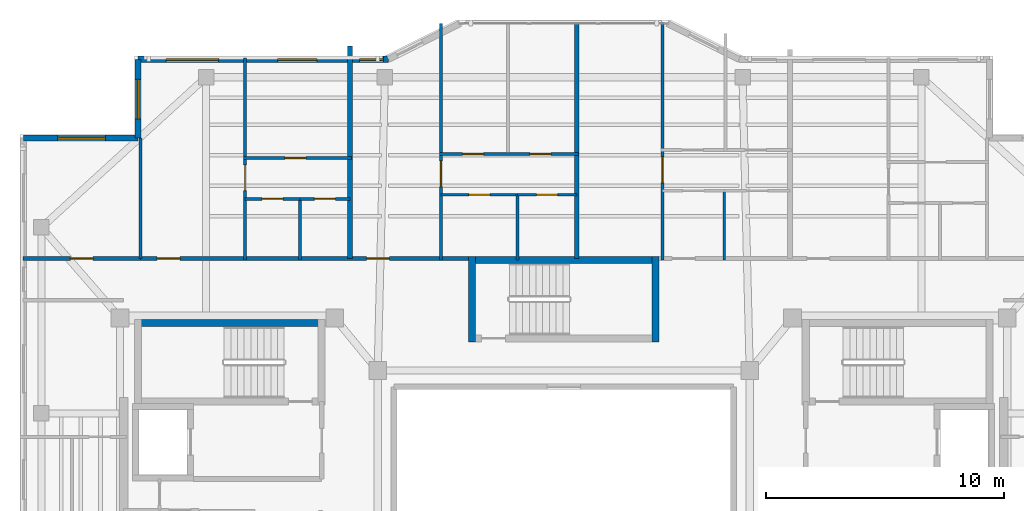
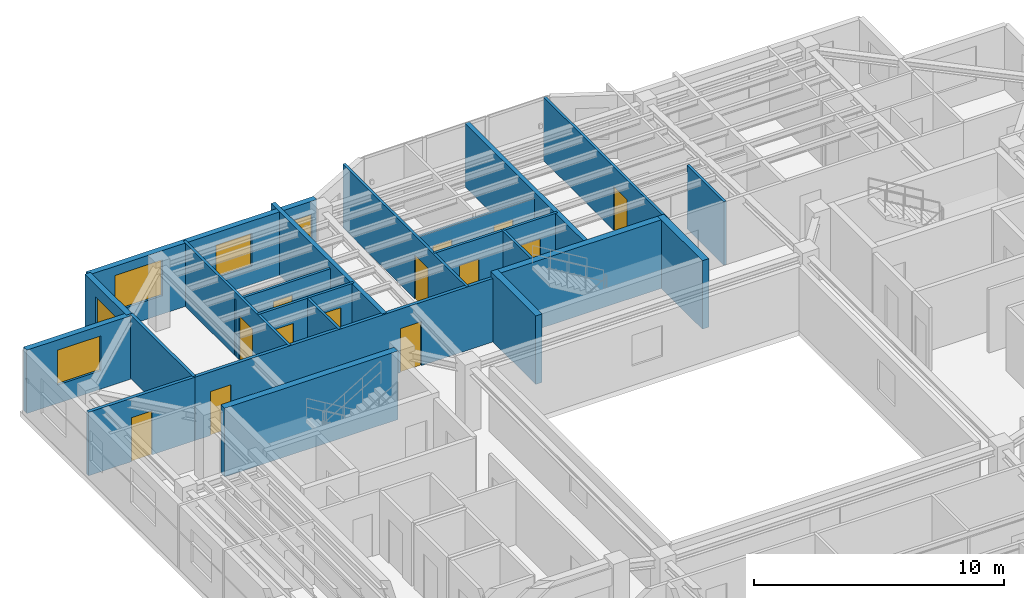
# One storey, part 10 of 15: 24 walls, 13 doors, 5 windows, 18 openings.
"""IFC4 building model written with IfcOpenShell, lengths in metres."""

from ifc_helpers import new_model, si_unit, direction, frame, frame_2d, origin, place, context, subcontext, project, spatial, rectangle, extrude, material, layer, layer_set, type_object, element, fill, save


model = new_model("IFC4")

# Units and contexts
model_context = context("Model", 3, precision=1e-05, world=origin(), true_north=direction((0.0, 1.0)))
body_context = subcontext(model_context, "Body", "Model", "MODEL_VIEW")
ifc_project = project(units=[si_unit("LENGTHUNIT", "METRE"), si_unit("AREAUNIT", "SQUARE_METRE"), si_unit("VOLUMEUNIT", "CUBIC_METRE"), si_unit("PLANEANGLEUNIT", "RADIAN"), si_unit("MASSUNIT", "GRAM", prefix="KILO")], contexts=[model_context])

# Site, building, storey
site_placement = place(None, origin())
site = spatial("IfcSite", under=ifc_project, at=site_placement, CompositionType="ELEMENT")
building_placement = place(site_placement, origin())
building = spatial("IfcBuilding", under=site, at=building_placement, Name="Tarnavaz Court Tower", CompositionType="ELEMENT")
storey_placement = place(building_placement, frame((0.0, 0.0, 244.85009765625)))
storey = spatial("IfcBuildingStorey", under=building, at=storey_placement, Name="L66", CompositionType="ELEMENT", Elevation=244.85009765625)

# Walls
ifc_material_1 = material(Name="Concrete C50/60", Category="concrete")
ifc_layer_1 = layer(ifc_material_1, 0.300048828125)
ifc_layer_set_1 = layer_set([ifc_layer_1], Name="Concrete C50/60")
wall_type_1 = type_object("IfcWallType", Name="WL-CORE-300-C50", PredefinedType="SHEAR", material=ifc_layer_set_1)
for number, where, z_axis, x_axis, name in (
    (1, (-18.0, 9.7900390625, 0.0), (0.0, 0.0, 1.0), (1.0, 0.0, 0.0), "L66 West Stair Core Wall 001"),
    (2, (-4.0, 12.43994140625, 0.0), (0.0, 0.0, 1.0), (1.0, 0.0, 0.0), "L66 North Stair Core Wall 009"),
):
    element("IfcWall", number, at=place(storey_placement, frame(where, z_axis=z_axis, x_axis=x_axis)), inside=storey, type_object=wall_type_1, Name=name, PredefinedType="SHEAR", context=body_context, shape_type="SweptSolid", body=[
        extrude(rectangle(XDim=8.0, YDim=0.300048828125, at=frame_2d((4.0, 0.0))), origin(), (0.0, 0.0, 1.0), 3.349853515625),
    ])
for number, where, z_axis, x_axis, name in (
    (3, (-3.85009765625, 9.0, 0.0), (0.0, 0.0, 1.0), (0.0, 1.0, 0.0), "L66 North Stair Core Wall 011"),
    (4, (3.85009765625, 9.0, 0.0), (0.0, 0.0, 1.0), (0.0, 1.0, 0.0), "L66 North Stair Core Wall 012"),
):
    element("IfcWall", number, at=place(storey_placement, frame(where, z_axis=z_axis, x_axis=x_axis)), inside=storey, type_object=wall_type_1, Name=name, PredefinedType="SHEAR", context=body_context, shape_type="SweptSolid", body=[
        extrude(rectangle(XDim=3.590087890625, YDim=0.300048828125, at=frame_2d((1.794921875, 0.0))), origin(), (0.0, 0.0, 1.0), 3.349853515625),
    ])

# Wall, opening, window
ifc_material_2 = material(Name="Precast Concrete C40/50", Category="concrete")
ifc_layer_2 = layer(ifc_material_2, 0.260009765625)
ifc_layer_set_2 = layer_set([ifc_layer_2], Name="Precast Concrete C40/50")
wall_type_2 = type_object("IfcWallType", Name="WL-EXT-260", PredefinedType="SOLIDWALL", material=ifc_layer_set_2)
wall_1_placement = place(storey_placement, frame((-22.64990234375, 17.550048828125, 0.0), z_axis=(0.0, 0.0, 1.0), x_axis=(1.0, 0.0, 0.0)))
wall_1 = element("IfcWall", 5, at=wall_1_placement, inside=storey, type_object=wall_type_2, Name="L66 Exterior Terracotta Facade Wall 03", PredefinedType="SOLIDWALL", context=body_context, shape_type="SweptSolid", body=[
    extrude(rectangle(XDim=4.7998046875, YDim=0.260009765625, at=frame_2d((2.39990234375, 0.0))), origin(), (0.0, 0.0, 1.0), 3.099853515625),
])
opening_1_placement = place(wall_1_placement, frame((1.42529296875, 0.0, 0.89990234375)))
opening_1 = element("IfcOpeningElement", 6, at=opening_1_placement, cuts=wall_1, Name="Opening W08", PredefinedType="OPENING", context=body_context, shape_type="SweptSolid", body=[
    extrude(rectangle(XDim=2.0, YDim=1.699951171875, at=frame_2d((1.0, 0.85009765625))), frame((0.0, 0.139892578125, 0.0), z_axis=(0.0, -1.0, 0.0), x_axis=(1.0, 0.0, 0.0)), (0.0, 0.0, 1.0), 0.280029296875),
])
ifc_material_3 = material(Name="Double-Glazed Solar Low-E Glass", Category="glass")
window_type_1 = type_object("IfcWindowType", Name="WN-APT-2000", PartitioningType="DOUBLE_PANEL_VERTICAL", PredefinedType="WINDOW", material=ifc_material_3)
window_1_placement = place(opening_1_placement, origin())
window_1 = element("IfcWindow", 7, at=window_1_placement, inside=storey, type_object=window_type_1, Name="L66 North-West Corner Sunroom Study Window", OverallHeight=1.699951171875, OverallWidth=2.0, PartitioningType="SINGLE_PANEL", PredefinedType="WINDOW", context=body_context, shape_type="SweptSolid", body=[
    extrude(rectangle(XDim=2.0, YDim=1.699951171875, at=frame_2d((1.0, 0.85009765625))), frame((0.0, 0.030029296875, 0.0), z_axis=(0.0, -1.0, 0.0), x_axis=(1.0, 0.0, 0.0)), (0.0, 0.0, 1.0), 0.06005859375),
])
fill(opening_1, window_1)

wall_2_placement = place(storey_placement, frame((-17.85009765625, 17.550048828125, 0.0), z_axis=(0.0, 0.0, 1.0), x_axis=(0.0, 1.0, 0.0)))
wall_2 = element("IfcWall", 8, at=wall_2_placement, inside=storey, type_object=wall_type_2, Name="L66 Exterior Terracotta Facade Wall 04", PredefinedType="SOLIDWALL", context=body_context, shape_type="SweptSolid", body=[
    extrude(rectangle(XDim=3.300048828125, YDim=0.260009765625, at=frame_2d((1.64990234375, 0.0))), origin(), (0.0, 0.0, 1.0), 3.099853515625),
])
opening_2_placement = place(wall_2_placement, frame((0.8076171875, 0.0, 0.89990234375)))
opening_2 = element("IfcOpeningElement", 9, at=opening_2_placement, cuts=wall_2, Name="Opening W02", PredefinedType="OPENING", context=body_context, shape_type="SweptSolid", body=[
    extrude(rectangle(XDim=1.64990234375, YDim=1.60009765625, at=frame_2d((0.824951171875, 0.800048828125))), frame((0.0, 0.139892578125, 0.0), z_axis=(0.0, -1.0, 0.0), x_axis=(1.0, 0.0, 0.0)), (0.0, 0.0, 1.0), 0.280029296875),
])
window_type_2 = type_object("IfcWindowType", Name="WN-APT-1650", PartitioningType="DOUBLE_PANEL_VERTICAL", PredefinedType="WINDOW", material=ifc_material_3)
window_2_placement = place(opening_2_placement, origin())
window_2 = element("IfcWindow", 10, at=window_2_placement, inside=storey, type_object=window_type_2, Name="L66 Flat 01 Living and Dining Room Window", OverallHeight=1.60009765625, OverallWidth=1.64990234375, PartitioningType="SINGLE_PANEL", PredefinedType="WINDOW", context=body_context, shape_type="SweptSolid", body=[
    extrude(rectangle(XDim=1.64990234375, YDim=1.60009765625, at=frame_2d((0.824951171875, 0.800048828125))), frame((0.0, 0.030029296875, 0.0), z_axis=(0.0, -1.0, 0.0), x_axis=(1.0, 0.0, 0.0)), (0.0, 0.0, 1.0), 0.06005859375),
])
fill(opening_2, window_2)

# Wall, openings, windows
wall_3_placement = place(storey_placement, frame((-17.85009765625, 20.85009765625, 0.0), z_axis=(0.0, 0.0, 1.0), x_axis=(1.0, 0.0, 0.0)))
wall_3 = element("IfcWall", 11, at=wall_3_placement, inside=storey, type_object=wall_type_2, Name="L66 Exterior Terracotta Facade Wall 05", PredefinedType="SOLIDWALL", context=body_context, shape_type="SweptSolid", body=[
    extrude(rectangle(XDim=10.5, YDim=0.260009765625, at=frame_2d((5.25, 0.0))), origin(), (0.0, 0.0, 1.0), 3.099853515625),
])
opening_3_placement = place(wall_3_placement, frame((1.175048828125, 0.0, 0.89990234375)))
opening_3 = element("IfcOpeningElement", 12, at=opening_3_placement, cuts=wall_3, Name="Opening W07", PredefinedType="OPENING", context=body_context, shape_type="SweptSolid", body=[
    extrude(rectangle(XDim=2.199951171875, YDim=1.75, at=frame_2d((1.10009765625, 0.875))), frame((0.0, 0.139892578125, 0.0), z_axis=(0.0, -1.0, 0.0), x_axis=(1.0, 0.0, 0.0)), (0.0, 0.0, 1.0), 0.280029296875),
])
opening_4_placement = place(wall_3_placement, frame((5.85009765625, 0.0, 0.89990234375)))
opening_4 = element("IfcOpeningElement", 13, at=opening_4_placement, cuts=wall_3, Name="Opening W02", PredefinedType="OPENING", context=body_context, shape_type="SweptSolid", body=[
    extrude(rectangle(XDim=1.64990234375, YDim=1.60009765625, at=frame_2d((0.824951171875, 0.800048828125))), frame((0.0, 0.139892578125, 0.0), z_axis=(0.0, -1.0, 0.0), x_axis=(1.0, 0.0, 0.0)), (0.0, 0.0, 1.0), 0.280029296875),
])
opening_5_placement = place(wall_3_placement, frame((9.2919921875, 0.0, 0.949951171875)))
opening_5 = element("IfcOpeningElement", 14, at=opening_5_placement, cuts=wall_3, Name="Opening W14", PredefinedType="OPENING", context=body_context, shape_type="SweptSolid", body=[
    extrude(rectangle(XDim=1.0, YDim=1.5, at=frame_2d((0.5, 0.75))), frame((0.0, 0.139892578125, 0.0), z_axis=(0.0, -1.0, 0.0), x_axis=(1.0, 0.0, 0.0)), (0.0, 0.0, 1.0), 0.280029296875),
])
window_type_3 = type_object("IfcWindowType", Name="WN-APT-1000", PartitioningType="SINGLE_PANEL", PredefinedType="WINDOW", material=ifc_material_3)
window_3_placement = place(opening_5_placement, origin())
window_3 = element("IfcWindow", 15, at=window_3_placement, inside=storey, type_object=window_type_3, Name="L66 Flat 02 Living and Dining Room Window", OverallHeight=1.5, OverallWidth=1.0, PartitioningType="SINGLE_PANEL", PredefinedType="WINDOW", context=body_context, shape_type="SweptSolid", body=[
    extrude(rectangle(XDim=1.0, YDim=1.5, at=frame_2d((0.5, 0.75))), frame((0.0, 0.030029296875, 0.0), z_axis=(0.0, -1.0, 0.0), x_axis=(1.0, 0.0, 0.0)), (0.0, 0.0, 1.0), 0.06005859375),
])
fill(opening_5, window_3)
window_4_placement = place(opening_4_placement, origin())
window_4 = element("IfcWindow", 16, at=window_4_placement, inside=storey, type_object=window_type_2, Name="L66 Flat 01 Bedroom 1 Window", OverallHeight=1.60009765625, OverallWidth=1.64990234375, PartitioningType="SINGLE_PANEL", PredefinedType="WINDOW", context=body_context, shape_type="SweptSolid", body=[
    extrude(rectangle(XDim=1.64990234375, YDim=1.60009765625, at=frame_2d((0.824951171875, 0.800048828125))), frame((0.0, 0.030029296875, 0.0), z_axis=(0.0, -1.0, 0.0), x_axis=(1.0, 0.0, 0.0)), (0.0, 0.0, 1.0), 0.06005859375),
])
fill(opening_4, window_4)
window_type_4 = type_object("IfcWindowType", Name="WN-APT-2200", PartitioningType="TRIPLE_PANEL_VERTICAL", PredefinedType="WINDOW", material=ifc_material_3)
window_5_placement = place(opening_3_placement, origin())
window_5 = element("IfcWindow", 17, at=window_5_placement, inside=storey, type_object=window_type_4, Name="L66 Flat 01 Living and Dining Room Window", OverallHeight=1.75, OverallWidth=2.199951171875, PartitioningType="SINGLE_PANEL", PredefinedType="WINDOW", context=body_context, shape_type="SweptSolid", body=[
    extrude(rectangle(XDim=2.199951171875, YDim=1.75, at=frame_2d((1.10009765625, 0.875))), frame((0.0, 0.030029296875, 0.0), z_axis=(0.0, -1.0, 0.0), x_axis=(1.0, 0.0, 0.0)), (0.0, 0.0, 1.0), 0.06005859375),
])
fill(opening_3, window_5)

# Wall, openings, doors
ifc_material_4 = material(Name="Gypsum Fire-Board on Acoustic Metal Stud", Category="masonry")
ifc_layer_3 = layer(ifc_material_4, 0.14990234375)
ifc_layer_set_3 = layer_set([ifc_layer_3], Name="Gypsum Fire-Board on Acoustic Metal Stud")
wall_type_3 = type_object("IfcWallType", Name="WL-FIRE-150", PredefinedType="PARTITIONING", material=ifc_layer_set_3)
wall_4_placement = place(storey_placement, frame((-17.75, 12.5, 0.0), z_axis=(0.0, 0.0, 1.0), x_axis=(1.0, 0.0, 0.0)))
wall_4 = element("IfcWall", 18, at=wall_4_placement, inside=storey, type_object=wall_type_3, Name="L66 NW Wing Corridor Wall 057", PredefinedType="PARTITIONING", context=body_context, shape_type="SweptSolid", body=[
    extrude(rectangle(XDim=13.89990234375, YDim=0.14990234375, at=frame_2d((6.949951171875, 0.0))), origin(), (0.0, 0.0, 1.0), 3.099853515625),
])
opening_6_placement = place(wall_4_placement, frame((0.699951171875, 0.0, 0.0)))
opening_6 = element("IfcOpeningElement", 19, at=opening_6_placement, cuts=wall_4, Name="Opening D06", PredefinedType="OPENING", context=body_context, shape_type="SweptSolid", body=[
    extrude(rectangle(XDim=0.9599609375, YDim=2.14990234375, at=frame_2d((0.47998046875, 1.074951171875))), frame((0.0, 0.0849609375, 0.0), z_axis=(0.0, -1.0, 0.0), x_axis=(1.0, 0.0, 0.0)), (0.0, 0.0, 1.0), 0.169921875),
])
opening_7_placement = place(wall_4_placement, frame((9.48388671875, 0.0, 0.0)))
opening_7 = element("IfcOpeningElement", 20, at=opening_7_placement, cuts=wall_4, Name="Opening D06", PredefinedType="OPENING", context=body_context, shape_type="SweptSolid", body=[
    extrude(rectangle(XDim=0.9599609375, YDim=2.14990234375, at=frame_2d((0.47998046875, 1.074951171875))), frame((0.0, 0.0849609375, 0.0), z_axis=(0.0, -1.0, 0.0), x_axis=(1.0, 0.0, 0.0)), (0.0, 0.0, 1.0), 0.169921875),
])
ifc_material_5 = material(Name="Fire-Rated Hardwood Timber Core", Category="wood")
door_type_1 = type_object("IfcDoorType", Name="DR-FD60-950", OperationType="NOTDEFINED", PredefinedType="DOOR", material=ifc_material_5)
door_1_placement = place(opening_6_placement, origin())
door_1 = element("IfcDoor", 21, at=door_1_placement, inside=storey, type_object=door_type_1, Name="L66 Flat 01 Entrance Door", OperationType="SINGLE_SWING_LEFT", OverallHeight=2.14990234375, OverallWidth=0.9599609375, PredefinedType="DOOR", context=body_context, shape_type="SweptSolid", body=[
    extrude(rectangle(XDim=0.9599609375, YDim=2.14990234375, at=frame_2d((0.47998046875, 1.074951171875))), frame((0.0, 0.02490234375, 0.0), z_axis=(0.0, -1.0, 0.0), x_axis=(1.0, 0.0, 0.0)), (0.0, 0.0, 1.0), 0.050048828125),
])
fill(opening_6, door_1)
door_2_placement = place(opening_7_placement, origin())
door_2 = element("IfcDoor", 22, at=door_2_placement, inside=storey, type_object=door_type_1, Name="L66 Flat 02 Entrance Door", OperationType="SINGLE_SWING_RIGHT", OverallHeight=2.14990234375, OverallWidth=0.9599609375, PredefinedType="DOOR", context=body_context, shape_type="SweptSolid", body=[
    extrude(rectangle(XDim=0.9599609375, YDim=2.14990234375, at=frame_2d((0.47998046875, 1.074951171875))), frame((0.0, 0.02490234375, 0.0), z_axis=(0.0, -1.0, 0.0), x_axis=(1.0, 0.0, 0.0)), (0.0, 0.0, 1.0), 0.050048828125),
])
fill(opening_7, door_2)

# Wall, opening, door
wall_5_placement = place(storey_placement, frame((-22.679931640625, 12.5, 0.0), z_axis=(0.0, 0.0, 1.0), x_axis=(1.0, 0.0, 0.0)))
wall_5 = element("IfcWall", 23, at=wall_5_placement, inside=storey, type_object=wall_type_3, Name="L66 Interior Partition 116", PredefinedType="PARTITIONING", context=body_context, shape_type="SweptSolid", body=[
    extrude(rectangle(XDim=4.929931640625, YDim=0.14990234375, at=frame_2d((2.46484375, 0.0))), origin(), (0.0, 0.0, 1.0), 3.099853515625),
])
opening_8_placement = place(wall_5_placement, frame((1.989990234375, 0.0, 0.0)))
opening_8 = element("IfcOpeningElement", 24, at=opening_8_placement, cuts=wall_5, Name="Opening D13", PredefinedType="OPENING", context=body_context, shape_type="SweptSolid", body=[
    extrude(rectangle(XDim=0.949951171875, YDim=2.14990234375, at=frame_2d((0.47509765625, 1.074951171875))), frame((0.0, 0.0849609375, 0.0), z_axis=(0.0, -1.0, 0.0), x_axis=(1.0, 0.0, 0.0)), (0.0, 0.0, 1.0), 0.169921875),
])
ifc_material_6 = material(Name="Engineered Oak Timber", Category="wood")
door_type_2 = type_object("IfcDoorType", Name="DR-INT-950", OperationType="NOTDEFINED", PredefinedType="DOOR", material=ifc_material_6)
door_3_placement = place(opening_8_placement, origin())
door_3 = element("IfcDoor", 25, at=door_3_placement, inside=storey, type_object=door_type_2, Name="L66 NW Sunroom Door", OperationType="SINGLE_SWING_RIGHT", OverallHeight=2.14990234375, OverallWidth=0.949951171875, PredefinedType="DOOR", context=body_context, shape_type="SweptSolid", body=[
    extrude(rectangle(XDim=0.949951171875, YDim=2.14990234375, at=frame_2d((0.47509765625, 1.074951171875))), frame((0.0, 0.02490234375, 0.0), z_axis=(0.0, -1.0, 0.0), x_axis=(1.0, 0.0, 0.0)), (0.0, 0.0, 1.0), 0.050048828125),
])
fill(opening_8, door_3)

# Walls
ifc_material_7 = material(Name="Autoclaved Aerated Concrete Blockwork", Category="masonry")
ifc_layer_4 = layer(ifc_material_7, 0.199951171875)
ifc_layer_set_4 = layer_set([ifc_layer_4], Name="Autoclaved Aerated Concrete Blockwork")
wall_type_4 = type_object("IfcWallType", Name="WL-FIRE-200", PredefinedType="SOLIDWALL", material=ifc_layer_set_4)
wall_6_placement = place(storey_placement, frame((0.550048828125, 12.5, 0.0), z_axis=(0.0, 0.0, 1.0), x_axis=(0.0, 1.0, 0.0)))
element("IfcWall", 26, at=wall_6_placement, inside=storey, type_object=wall_type_4, Name="L66 North Center Party Wall 061", PredefinedType="SOLIDWALL", context=body_context, shape_type="SweptSolid", body=[
    extrude(rectangle(XDim=9.8798828125, YDim=0.199951171875, at=frame_2d((4.93994140625, 0.0))), origin(), (0.0, 0.0, 1.0), 3.099853515625),
])
wall_7_placement = place(storey_placement, frame((-8.966064453125, 12.5, 0.0), z_axis=(0.0, 0.0, 1.0), x_axis=(0.0, 1.0, 0.0)))
element("IfcWall", 27, at=wall_7_placement, inside=storey, type_object=wall_type_4, Name="L66 Party Wall 062", PredefinedType="SOLIDWALL", context=body_context, shape_type="SweptSolid", body=[
    extrude(rectangle(XDim=8.902099609375, YDim=0.199951171875, at=frame_2d((4.451171875, 0.0))), origin(), (0.0, 0.0, 1.0), 3.099853515625),
])

# Wall, opening, door
ifc_material_8 = material(Name="Moisture-Resistant Gypsum Board Partition", Category="masonry")
ifc_layer_5 = layer(ifc_material_8, 0.1201171875)
ifc_layer_set_5 = layer_set([ifc_layer_5], Name="Moisture-Resistant Gypsum Board Partition")
wall_type_5 = type_object("IfcWallType", Name="WL-PART-120", PredefinedType="PARTITIONING", material=ifc_layer_set_5)
wall_8_placement = place(storey_placement, frame((-13.35791015625, 12.43994140625, 0.0), z_axis=(0.0, 0.0, 1.0), x_axis=(0.0, 1.0, 0.0)))
wall_8 = element("IfcWall", 28, at=wall_8_placement, inside=storey, type_object=wall_type_5, Name="L66 Interior Partition 063", PredefinedType="PARTITIONING", context=body_context, shape_type="SweptSolid", body=[
    extrude(rectangle(XDim=8.4599609375, YDim=0.1201171875, at=frame_2d((4.22998046875, 0.0))), origin(), (0.0, 0.0, 1.0), 3.099853515625),
])
opening_9_placement = place(wall_8_placement, frame((2.905029296875, 0.0, 0.0)))
opening_9 = element("IfcOpeningElement", 29, at=opening_9_placement, cuts=wall_8, Name="Opening D12", PredefinedType="OPENING", context=body_context, shape_type="SweptSolid", body=[
    extrude(rectangle(XDim=1.080078125, YDim=2.14990234375, at=frame_2d((0.5400390625, 1.074951171875))), frame((0.0, 0.070068359375, 0.0), z_axis=(0.0, -1.0, 0.0), x_axis=(1.0, 0.0, 0.0)), (0.0, 0.0, 1.0), 0.14013671875),
])
door_type_3 = type_object("IfcDoorType", Name="DR-INT-1100", OperationType="NOTDEFINED", PredefinedType="DOOR", material=ifc_material_6)
door_4_placement = place(opening_9_placement, origin())
door_4 = element("IfcDoor", 30, at=door_4_placement, inside=storey, type_object=door_type_3, Name="L66 Flat 01 Foyer Door", OperationType="SINGLE_SWING_RIGHT", OverallHeight=2.14990234375, OverallWidth=1.080078125, PredefinedType="DOOR", context=body_context, shape_type="SweptSolid", body=[
    extrude(rectangle(XDim=1.080078125, YDim=2.14990234375, at=frame_2d((0.5400390625, 1.074951171875))), frame((0.0, 0.02490234375, 0.0), z_axis=(0.0, -1.0, 0.0), x_axis=(1.0, 0.0, 0.0)), (0.0, 0.0, 1.0), 0.050048828125),
])
fill(opening_9, door_4)

wall_9_placement = place(storey_placement, frame((-13.35791015625, 15.0, 0.0), z_axis=(0.0, 0.0, 1.0), x_axis=(1.0, 0.0, 0.0)))
wall_9 = element("IfcWall", 31, at=wall_9_placement, inside=storey, type_object=wall_type_5, Name="L66 Interior Partition 064", PredefinedType="PARTITIONING", context=body_context, shape_type="SweptSolid", body=[
    extrude(rectangle(XDim=2.2958984375, YDim=0.1201171875, at=frame_2d((1.14794921875, 0.0))), origin(), (0.0, 0.0, 1.0), 3.099853515625),
])
opening_10_placement = place(wall_9_placement, frame((0.7080078125, 0.0, 0.0)))
opening_10 = element("IfcOpeningElement", 32, at=opening_10_placement, cuts=wall_9, Name="Opening D14", PredefinedType="OPENING", context=body_context, shape_type="SweptSolid", body=[
    extrude(rectangle(XDim=0.8798828125, YDim=2.10009765625, at=frame_2d((0.43994140625, 1.050048828125))), frame((0.0, 0.070068359375, 0.0), z_axis=(0.0, -1.0, 0.0), x_axis=(1.0, 0.0, 0.0)), (0.0, 0.0, 1.0), 0.14013671875),
])
door_type_4 = type_object("IfcDoorType", Name="DR-INT-900", OperationType="NOTDEFINED", PredefinedType="DOOR", material=ifc_material_6)
door_5_placement = place(opening_10_placement, origin())
door_5 = element("IfcDoor", 33, at=door_5_placement, inside=storey, type_object=door_type_4, Name="L66 Flat 01 Kitchen Door", OperationType="SINGLE_SWING_LEFT", OverallHeight=2.10009765625, OverallWidth=0.8798828125, PredefinedType="DOOR", context=body_context, shape_type="SweptSolid", body=[
    extrude(rectangle(XDim=0.8798828125, YDim=2.10009765625, at=frame_2d((0.43994140625, 1.050048828125))), frame((0.0, 0.02490234375, 0.0), z_axis=(0.0, -1.0, 0.0), x_axis=(1.0, 0.0, 0.0)), (0.0, 0.0, 1.0), 0.050048828125),
])
fill(opening_10, door_5)

wall_10_placement = place(storey_placement, frame((-11.06201171875, 15.0, 0.0), z_axis=(0.0, 0.0, 1.0), x_axis=(1.0, 0.0, 0.0)))
wall_10 = element("IfcWall", 34, at=wall_10_placement, inside=storey, type_object=wall_type_5, Name="L66 Interior Partition 065", PredefinedType="PARTITIONING", context=body_context, shape_type="SweptSolid", body=[
    extrude(rectangle(XDim=2.095947265625, YDim=0.1201171875, at=frame_2d((1.0478515625, 0.0))), origin(), (0.0, 0.0, 1.0), 3.099853515625),
])
opening_11_placement = place(wall_10_placement, frame((0.60791015625, 0.0, 0.0)))
opening_11 = element("IfcOpeningElement", 35, at=opening_11_placement, cuts=wall_10, Name="Opening D14", PredefinedType="OPENING", context=body_context, shape_type="SweptSolid", body=[
    extrude(rectangle(XDim=0.8798828125, YDim=2.10009765625, at=frame_2d((0.43994140625, 1.050048828125))), frame((0.0, 0.070068359375, 0.0), z_axis=(0.0, -1.0, 0.0), x_axis=(1.0, 0.0, 0.0)), (0.0, 0.0, 1.0), 0.14013671875),
])
door_6_placement = place(opening_11_placement, origin())
door_6 = element("IfcDoor", 36, at=door_6_placement, inside=storey, type_object=door_type_4, Name="L66 Flat 01 Bathroom Door", OperationType="SINGLE_SWING_RIGHT", OverallHeight=2.10009765625, OverallWidth=0.8798828125, PredefinedType="DOOR", context=body_context, shape_type="SweptSolid", body=[
    extrude(rectangle(XDim=0.8798828125, YDim=2.10009765625, at=frame_2d((0.43994140625, 1.050048828125))), frame((0.0, 0.02490234375, 0.0), z_axis=(0.0, -1.0, 0.0), x_axis=(1.0, 0.0, 0.0)), (0.0, 0.0, 1.0), 0.050048828125),
])
fill(opening_11, door_6)

wall_11_placement = place(storey_placement, frame((-13.41796875, 16.7099609375, 0.0), z_axis=(0.0, 0.0, 1.0), x_axis=(1.0, 0.0, 0.0)))
wall_11 = element("IfcWall", 37, at=wall_11_placement, inside=storey, type_object=wall_type_5, Name="L66 Interior Partition 066", PredefinedType="PARTITIONING", context=body_context, shape_type="SweptSolid", body=[
    extrude(rectangle(XDim=4.511962890625, YDim=0.1201171875, at=frame_2d((2.255859375, 0.0))), origin(), (0.0, 0.0, 1.0), 2.784912109375),
])
opening_12_placement = place(wall_11_placement, frame((1.72607421875, 0.0, 0.0)))
opening_12 = element("IfcOpeningElement", 38, at=opening_12_placement, cuts=wall_11, Name="Opening D14", PredefinedType="OPENING", context=body_context, shape_type="SweptSolid", body=[
    extrude(rectangle(XDim=0.8798828125, YDim=2.10009765625, at=frame_2d((0.43994140625, 1.050048828125))), frame((0.0, 0.070068359375, 0.0), z_axis=(0.0, -1.0, 0.0), x_axis=(1.0, 0.0, 0.0)), (0.0, 0.0, 1.0), 0.14013671875),
])
door_7_placement = place(opening_12_placement, origin())
door_7 = element("IfcDoor", 39, at=door_7_placement, inside=storey, type_object=door_type_4, Name="L66 Flat 01 Bedroom 1 Door", OperationType="SINGLE_SWING_LEFT", OverallHeight=2.10009765625, OverallWidth=0.8798828125, PredefinedType="DOOR", context=body_context, shape_type="SweptSolid", body=[
    extrude(rectangle(XDim=0.8798828125, YDim=2.10009765625, at=frame_2d((0.43994140625, 1.050048828125))), frame((0.0, 0.02490234375, 0.0), z_axis=(0.0, -1.0, 0.0), x_axis=(1.0, 0.0, 0.0)), (0.0, 0.0, 1.0), 0.050048828125),
])
fill(opening_12, door_7)

# Wall
wall_12_placement = place(storey_placement, frame((-11.06201171875, 12.43994140625, 0.0), z_axis=(0.0, 0.0, 1.0), x_axis=(0.0, 1.0, 0.0)))
element("IfcWall", 40, at=wall_12_placement, inside=storey, type_object=wall_type_5, Name="L66 Interior Partition 067", PredefinedType="PARTITIONING", context=body_context, shape_type="SweptSolid", body=[
    extrude(rectangle(XDim=2.6201171875, YDim=0.1201171875, at=frame_2d((1.31005859375, 0.0))), origin(), (0.0, 0.0, 1.0), 3.099853515625),
])

# Wall, opening, door
wall_13_placement = place(storey_placement, frame((-5.14794921875, 12.43994140625, 0.0), z_axis=(0.0, 0.0, 1.0), x_axis=(0.0, 1.0, 0.0)))
wall_13 = element("IfcWall", 41, at=wall_13_placement, inside=storey, type_object=wall_type_5, Name="L66 Interior Partition 068", PredefinedType="PARTITIONING", context=body_context, shape_type="SweptSolid", body=[
    extrude(rectangle(XDim=9.903076171875, YDim=0.1201171875, at=frame_2d((4.95166015625, 0.0))), origin(), (0.0, 0.0, 1.0), 3.099853515625),
])
opening_13_placement = place(wall_13_placement, frame((3.074951171875, 0.0, 0.0)))
opening_13 = element("IfcOpeningElement", 42, at=opening_13_placement, cuts=wall_13, Name="Opening D12", PredefinedType="OPENING", context=body_context, shape_type="SweptSolid", body=[
    extrude(rectangle(XDim=1.080078125, YDim=2.14990234375, at=frame_2d((0.5400390625, 1.074951171875))), frame((0.0, 0.070068359375, 0.0), z_axis=(0.0, -1.0, 0.0), x_axis=(1.0, 0.0, 0.0)), (0.0, 0.0, 1.0), 0.14013671875),
])
door_8_placement = place(opening_13_placement, origin())
door_8 = element("IfcDoor", 43, at=door_8_placement, inside=storey, type_object=door_type_3, Name="L66 Flat 02 Foyer Door", OperationType="SINGLE_SWING_LEFT", OverallHeight=2.14990234375, OverallWidth=1.080078125, PredefinedType="DOOR", context=body_context, shape_type="SweptSolid", body=[
    extrude(rectangle(XDim=1.080078125, YDim=2.14990234375, at=frame_2d((0.5400390625, 1.074951171875))), frame((0.0, 0.02490234375, 0.0), z_axis=(0.0, -1.0, 0.0), x_axis=(1.0, 0.0, 0.0)), (0.0, 0.0, 1.0), 0.050048828125),
])
fill(opening_13, door_8)

wall_14_placement = place(storey_placement, frame((-5.14794921875, 15.169921875, 0.0), z_axis=(0.0, 0.0, 1.0), x_axis=(1.0, 0.0, 0.0)))
wall_14 = element("IfcWall", 44, at=wall_14_placement, inside=storey, type_object=wall_type_5, Name="L66 Interior Partition 069", PredefinedType="PARTITIONING", context=body_context, shape_type="SweptSolid", body=[
    extrude(rectangle(XDim=3.2138671875, YDim=0.1201171875, at=frame_2d((1.60693359375, 0.0))), origin(), (0.0, 0.0, 1.0), 3.099853515625),
])
opening_14_placement = place(wall_14_placement, frame((1.1669921875, 0.0, 0.0)))
opening_14 = element("IfcOpeningElement", 45, at=opening_14_placement, cuts=wall_14, Name="Opening D14", PredefinedType="OPENING", context=body_context, shape_type="SweptSolid", body=[
    extrude(rectangle(XDim=0.8798828125, YDim=2.10009765625, at=frame_2d((0.43994140625, 1.050048828125))), frame((0.0, 0.070068359375, 0.0), z_axis=(0.0, -1.0, 0.0), x_axis=(1.0, 0.0, 0.0)), (0.0, 0.0, 1.0), 0.14013671875),
])
door_9_placement = place(opening_14_placement, origin())
door_9 = element("IfcDoor", 46, at=door_9_placement, inside=storey, type_object=door_type_4, Name="L66 Flat 02 Kitchen Door", OperationType="SINGLE_SWING_RIGHT", OverallHeight=2.10009765625, OverallWidth=0.8798828125, PredefinedType="DOOR", context=body_context, shape_type="SweptSolid", body=[
    extrude(rectangle(XDim=0.8798828125, YDim=2.10009765625, at=frame_2d((0.43994140625, 1.050048828125))), frame((0.0, 0.02490234375, 0.0), z_axis=(0.0, -1.0, 0.0), x_axis=(1.0, 0.0, 0.0)), (0.0, 0.0, 1.0), 0.050048828125),
])
fill(opening_14, door_9)

wall_15_placement = place(storey_placement, frame((-1.93408203125, 15.169921875, 0.0), z_axis=(0.0, 0.0, 1.0), x_axis=(1.0, 0.0, 0.0)))
wall_15 = element("IfcWall", 47, at=wall_15_placement, inside=storey, type_object=wall_type_5, Name="L66 Interior Partition 070", PredefinedType="PARTITIONING", context=body_context, shape_type="SweptSolid", body=[
    extrude(rectangle(XDim=2.484130859375, YDim=0.1201171875, at=frame_2d((1.2421875, 0.0))), origin(), (0.0, 0.0, 1.0), 3.099853515625),
])
opening_15_placement = place(wall_15_placement, frame((0.802001953125, 0.0, 0.0)))
opening_15 = element("IfcOpeningElement", 48, at=opening_15_placement, cuts=wall_15, Name="Opening D14", PredefinedType="OPENING", context=body_context, shape_type="SweptSolid", body=[
    extrude(rectangle(XDim=0.8798828125, YDim=2.10009765625, at=frame_2d((0.43994140625, 1.050048828125))), frame((0.0, 0.070068359375, 0.0), z_axis=(0.0, -1.0, 0.0), x_axis=(1.0, 0.0, 0.0)), (0.0, 0.0, 1.0), 0.14013671875),
])
door_10_placement = place(opening_15_placement, origin())
door_10 = element("IfcDoor", 49, at=door_10_placement, inside=storey, type_object=door_type_4, Name="L66 Flat 02 Bathroom Door", OperationType="SINGLE_SWING_LEFT", OverallHeight=2.10009765625, OverallWidth=0.8798828125, PredefinedType="DOOR", context=body_context, shape_type="SweptSolid", body=[
    extrude(rectangle(XDim=0.8798828125, YDim=2.10009765625, at=frame_2d((0.43994140625, 1.050048828125))), frame((0.0, 0.02490234375, 0.0), z_axis=(0.0, -1.0, 0.0), x_axis=(1.0, 0.0, 0.0)), (0.0, 0.0, 1.0), 0.050048828125),
])
fill(opening_15, door_10)

# Wall, openings, doors
wall_16_placement = place(storey_placement, frame((-5.2080078125, 16.8798828125, 0.0), z_axis=(0.0, 0.0, 1.0), x_axis=(1.0, 0.0, 0.0)))
wall_16 = element("IfcWall", 50, at=wall_16_placement, inside=storey, type_object=wall_type_5, Name="L66 Interior Partition 071", PredefinedType="PARTITIONING", context=body_context, shape_type="SweptSolid", body=[
    extrude(rectangle(XDim=5.818115234375, YDim=0.1201171875, at=frame_2d((2.9091796875, 0.0))), origin(), (0.0, 0.0, 1.0), 2.784912109375),
])
opening_16_placement = place(wall_16_placement, frame((0.969970703125, 0.0, 0.0)))
opening_16 = element("IfcOpeningElement", 51, at=opening_16_placement, cuts=wall_16, Name="Opening D14", PredefinedType="OPENING", context=body_context, shape_type="SweptSolid", body=[
    extrude(rectangle(XDim=0.8798828125, YDim=2.10009765625, at=frame_2d((0.43994140625, 1.050048828125))), frame((0.0, 0.070068359375, 0.0), z_axis=(0.0, -1.0, 0.0), x_axis=(1.0, 0.0, 0.0)), (0.0, 0.0, 1.0), 0.14013671875),
])
opening_17_placement = place(wall_16_placement, frame((3.7880859375, 0.0, 0.0)))
opening_17 = element("IfcOpeningElement", 52, at=opening_17_placement, cuts=wall_16, Name="Opening D14", PredefinedType="OPENING", context=body_context, shape_type="SweptSolid", body=[
    extrude(rectangle(XDim=0.8798828125, YDim=2.10009765625, at=frame_2d((0.43994140625, 1.050048828125))), frame((0.0, 0.070068359375, 0.0), z_axis=(0.0, -1.0, 0.0), x_axis=(1.0, 0.0, 0.0)), (0.0, 0.0, 1.0), 0.14013671875),
])
door_11_placement = place(opening_16_placement, origin())
door_11 = element("IfcDoor", 53, at=door_11_placement, inside=storey, type_object=door_type_4, Name="L66 Flat 02 Bedroom 1 Door", OperationType="SINGLE_SWING_RIGHT", OverallHeight=2.10009765625, OverallWidth=0.8798828125, PredefinedType="DOOR", context=body_context, shape_type="SweptSolid", body=[
    extrude(rectangle(XDim=0.8798828125, YDim=2.10009765625, at=frame_2d((0.43994140625, 1.050048828125))), frame((0.0, 0.02490234375, 0.0), z_axis=(0.0, -1.0, 0.0), x_axis=(1.0, 0.0, 0.0)), (0.0, 0.0, 1.0), 0.050048828125),
])
fill(opening_16, door_11)
door_12_placement = place(opening_17_placement, origin())
door_12 = element("IfcDoor", 54, at=door_12_placement, inside=storey, type_object=door_type_4, Name="L66 Flat 02 Bedroom 2 Door", OperationType="SINGLE_SWING_LEFT", OverallHeight=2.10009765625, OverallWidth=0.8798828125, PredefinedType="DOOR", context=body_context, shape_type="SweptSolid", body=[
    extrude(rectangle(XDim=0.8798828125, YDim=2.10009765625, at=frame_2d((0.43994140625, 1.050048828125))), frame((0.0, 0.02490234375, 0.0), z_axis=(0.0, -1.0, 0.0), x_axis=(1.0, 0.0, 0.0)), (0.0, 0.0, 1.0), 0.050048828125),
])
fill(opening_17, door_12)

# Wall
wall_17_placement = place(storey_placement, frame((-1.93408203125, 12.43994140625, 0.0), z_axis=(0.0, 0.0, 1.0), x_axis=(0.0, 1.0, 0.0)))
element("IfcWall", 55, at=wall_17_placement, inside=storey, type_object=wall_type_5, Name="L66 Interior Partition 072", PredefinedType="PARTITIONING", context=body_context, shape_type="SweptSolid", body=[
    extrude(rectangle(XDim=2.7900390625, YDim=0.1201171875, at=frame_2d((1.39501953125, 0.0))), origin(), (0.0, 0.0, 1.0), 3.099853515625),
])

# Wall, opening, door
wall_18_placement = place(storey_placement, frame((4.139892578125, 12.43994140625, 0.0), z_axis=(0.0, 0.0, 1.0), x_axis=(0.0, 1.0, 0.0)))
wall_18 = element("IfcWall", 56, at=wall_18_placement, inside=storey, type_object=wall_type_5, Name="L66 Interior Partition 075", PredefinedType="PARTITIONING", context=body_context, shape_type="SweptSolid", body=[
    extrude(rectangle(XDim=9.93994140625, YDim=0.1201171875, at=frame_2d((4.969970703125, 0.0))), origin(), (0.0, 0.0, 1.0), 3.099853515625),
])
opening_18_placement = place(wall_18_placement, frame((3.2451171875, 0.0, 0.0)))
opening_18 = element("IfcOpeningElement", 57, at=opening_18_placement, cuts=wall_18, Name="Opening D12", PredefinedType="OPENING", context=body_context, shape_type="SweptSolid", body=[
    extrude(rectangle(XDim=1.080078125, YDim=2.14990234375, at=frame_2d((0.5400390625, 1.074951171875))), frame((0.0, 0.070068359375, 0.0), z_axis=(0.0, -1.0, 0.0), x_axis=(1.0, 0.0, 0.0)), (0.0, 0.0, 1.0), 0.14013671875),
])
door_13_placement = place(opening_18_placement, origin())
door_13 = element("IfcDoor", 58, at=door_13_placement, inside=storey, type_object=door_type_3, Name="L66 Flat 03 Foyer Door", OperationType="SINGLE_SWING_LEFT", OverallHeight=2.14990234375, OverallWidth=1.080078125, PredefinedType="DOOR", context=body_context, shape_type="SweptSolid", body=[
    extrude(rectangle(XDim=1.080078125, YDim=2.14990234375, at=frame_2d((0.5400390625, 1.074951171875))), frame((0.0, 0.02490234375, 0.0), z_axis=(0.0, -1.0, 0.0), x_axis=(1.0, 0.0, 0.0)), (0.0, 0.0, 1.0), 0.050048828125),
])
fill(opening_18, door_13)

# Walls
wall_19_placement = place(storey_placement, frame((6.73388671875, 12.43994140625, 0.0), z_axis=(0.0, 0.0, 1.0), x_axis=(0.0, 1.0, 0.0)))
element("IfcWall", 59, at=wall_19_placement, inside=storey, type_object=wall_type_5, Name="L66 Interior Partition 079", PredefinedType="PARTITIONING", context=body_context, shape_type="SweptSolid", body=[
    extrude(rectangle(XDim=2.9599609375, YDim=0.1201171875, at=frame_2d((1.47998046875, 0.0))), origin(), (0.0, 0.0, 1.0), 3.099853515625),
])
ifc_material_9 = material(Name="Gypsum Plasterboard Acoustic Partition", Category="masonry")
ifc_layer_6 = layer(ifc_material_9, 0.139892578125)
ifc_layer_set_6 = layer_set([ifc_layer_6], Name="Gypsum Plasterboard Acoustic Partition")
wall_type_6 = type_object("IfcWallType", Name="WL-PART-150", PredefinedType="PARTITIONING", material=ifc_layer_set_6)
wall_20_placement = place(storey_placement, frame((-17.75, 12.5, 0.0), z_axis=(0.0, 0.0, 1.0), x_axis=(0.0, 1.0, 0.0)))
element("IfcWall", 60, at=wall_20_placement, inside=storey, type_object=wall_type_6, Name="L66 Interior Partition 114", PredefinedType="PARTITIONING", context=body_context, shape_type="SweptSolid", body=[
    extrude(rectangle(XDim=5.050048828125, YDim=0.139892578125, at=frame_2d((2.52490234375, 0.0))), origin(), (0.0, 0.0, 1.0), 3.099853515625),
])

save(model, "model.ifc")
